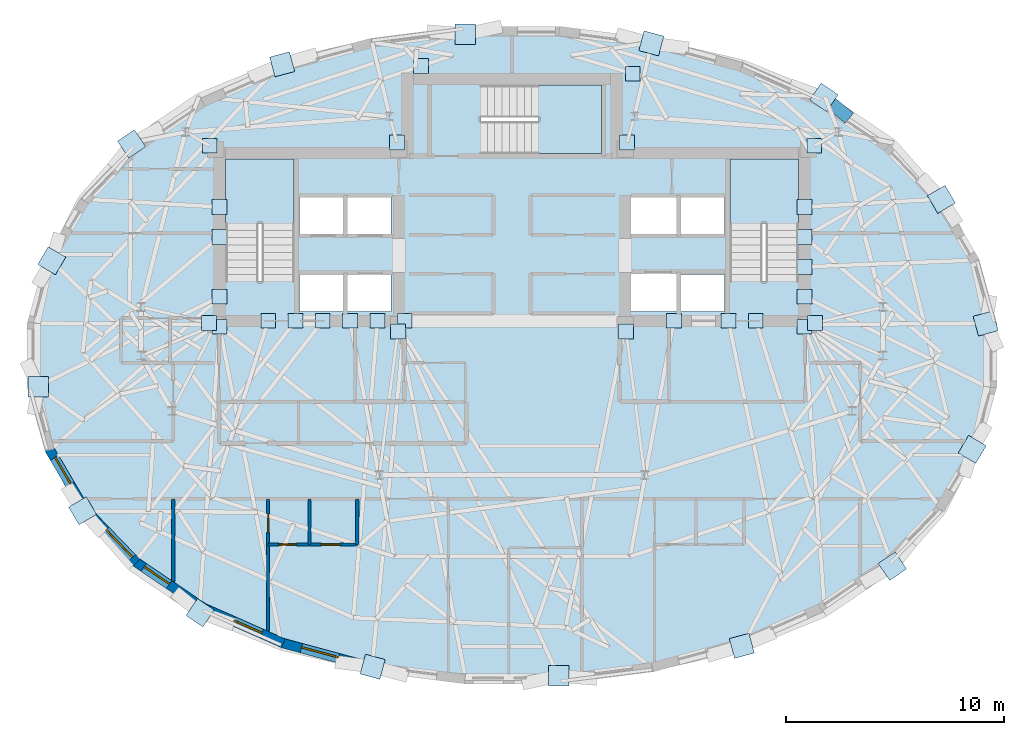
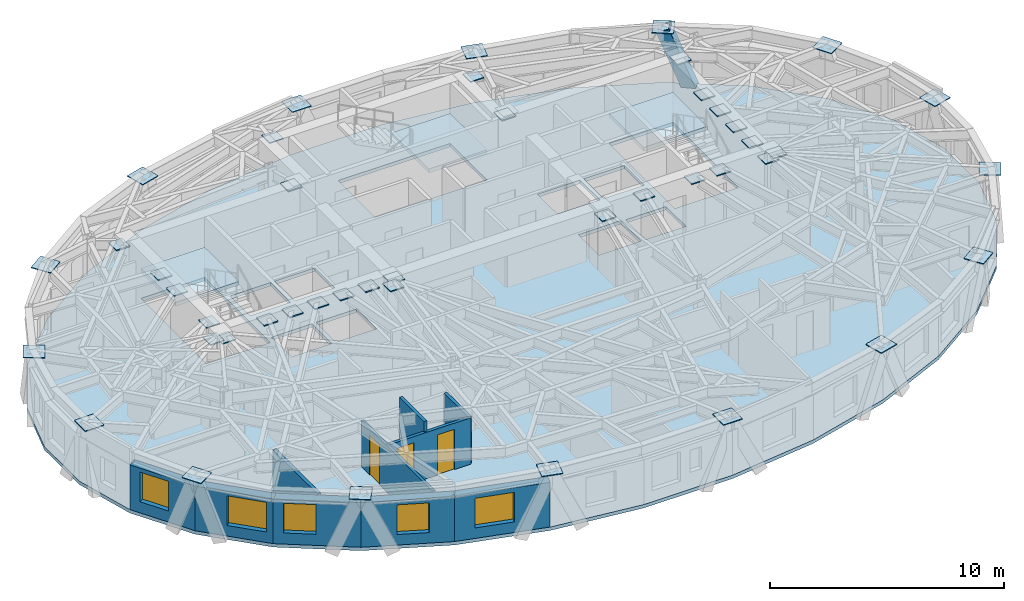
# One storey, part 5 of 13: 44 plates, 10 walls, 5 windows, 4 slabs, 3 doors, 1 member, 8 openings, 3 elements without a shape of their own.
"""IFC4 building model written with IfcOpenShell, lengths in metres."""

from ifc_helpers import new_model, si_unit, direction, frame, frame_2d, origin, origin_2d, place, context, subcontext, project, spatial, polyline, rectangle, hollow_rectangle, outline, extrude, material, layer, layer_set, material_profile, profile_set, type_object, element, fill, aggregate, save


model = new_model("IFC4")

# Units and contexts
model_context = context("Model", 3, precision=1e-05, world=origin(), true_north=direction((0.0, 1.0)))
body_context = subcontext(model_context, "Body", "Model", "MODEL_VIEW")
ifc_project = project(units=[si_unit("LENGTHUNIT", "METRE"), si_unit("AREAUNIT", "SQUARE_METRE"), si_unit("VOLUMEUNIT", "CUBIC_METRE"), si_unit("PLANEANGLEUNIT", "RADIAN"), si_unit("MASSUNIT", "GRAM", prefix="KILO")], contexts=[model_context])

# Site, building, storey
site_placement = place(None, origin())
site = spatial("IfcSite", under=ifc_project, at=site_placement, CompositionType="ELEMENT")
building_placement = place(site_placement, origin())
building = spatial("IfcBuilding", under=site, at=building_placement, Name="Keldmark Tower", CompositionType="ELEMENT")
storey_placement = place(building_placement, frame((0.0, 0.0, 232.050048828125)))
storey = spatial("IfcBuildingStorey", under=building, at=storey_placement, Name="L65", CompositionType="ELEMENT", Elevation=232.050048828125)

# Member
ifc_material_1 = material(Name="Steel ASTM A572 Grade 50", Category="steel")
ifc_material_profile = material_profile(ifc_material_1, hollow_rectangle(XDim=0.60009765625, YDim=0.60009765625, WallThickness=0.034912109375, at=origin_2d()), Name="BOX600X600X35")
ifc_profile_set = profile_set([ifc_material_profile], Name="Steel ASTM A572 Grade 50")
member_type = type_object("IfcMemberType", Name="Diagrid Zone 4 Brace BOX600X600X35", PredefinedType="BRACE", material=ifc_profile_set)
member_placement = place(storey_placement, frame((15.27587890625, 11.057861328125, -0.260009765625), z_axis=(-0.285944073993, 0.23141248776, 0.929883996559), x_axis=(-0.629089754103, -0.777332670922, 0.0)))
element("IfcMember", 1, at=member_placement, inside=storey, type_object=member_type, Name="L65 Perimeter Diagrid Brace 02B", PredefinedType="BRACE", context=body_context, shape_type="SweptSolid", body=[
    extrude(hollow_rectangle(XDim=0.60009765625, YDim=0.60009765625, WallThickness=0.034912109375, at=origin_2d()), origin(), (0.0, 0.0, 1.0), 3.34423828125),
])

# Plates
ifc_material_2 = material(Name="Steel ASTM A572 Grade 50", Category="steel")
ifc_layer_1 = layer(ifc_material_2, 0.06005859375)
ifc_layer_set_1 = layer_set([ifc_layer_1], Name="Steel ASTM A572 Grade 50")
plate_type_1 = type_object("IfcPlateType", Name="Belt Truss Kink Node Assembly KN01 60 mm", PredefinedType="USERDEFINED", material=ifc_layer_set_1)
for number, where, z_axis, x_axis, name in (
    (2, (13.91162109375, 1.473388671875, 2.67822265625), (0.0, 0.0, 1.0), (1.0, 0.0, 0.0), "L65 Core Wall Cast-In Embed Plate 1896"),
    (3, (13.878173828125, 9.608154296875, 2.67822265625), (0.0, 0.0, 1.0), (1.0, 0.0, 0.0), "L65 Core Wall Cast-In Embed Plate 1897"),
    (4, (5.28515625, 9.758544921875, 2.67822265625), (0.0, 0.0, 1.0), (1.0, 0.0, 0.0), "L65 Core Wall Cast-In Embed Plate 1898"),
    (5, (-5.28515625, 9.758544921875, 2.67822265625), (0.0, 0.0, 1.0), (1.0, 0.0, 0.0), "L65 Core Wall Cast-In Embed Plate 1899"),
    (6, (-13.878173828125, 9.608154296875, 2.67822265625), (0.0, 0.0, 1.0), (1.0, 0.0, 0.0), "L65 Core Wall Cast-In Embed Plate 1900"),
    (7, (-13.91162109375, 1.473388671875, 2.67822265625), (0.0, 0.0, 1.0), (1.0, 0.0, 0.0), "L65 Core Wall Cast-In Embed Plate 1901"),
    (8, (-5.24072265625, 1.08251953125, 2.67822265625), (0.0, 0.0, 1.0), (1.0, 0.0, 0.0), "L65 Core Wall Cast-In Embed Plate 1902"),
    (9, (5.24072265625, 1.08251953125, 2.67822265625), (0.0, 0.0, 1.0), (1.0, 0.0, 0.0), "L65 Core Wall Cast-In Embed Plate 1903"),
    (10, (-13.425048828125, 5.425048828125, 2.673828125), (0.0, 0.0, 1.0), (1.0, 0.0, 0.0), "L65 Core Wall Cast-In Embed Plate 1904"),
    (11, (-11.19287109375, 1.574951171875, 2.673828125), (0.0, 0.0, 1.0), (1.0, 0.0, 0.0), "L65 Core Wall Cast-In Embed Plate 1905"),
    (12, (-7.43212890625, 1.574951171875, 2.673828125), (0.0, 0.0, 1.0), (1.0, 0.0, 0.0), "L65 Core Wall Cast-In Embed Plate 1906"),
    (13, (7.43212890625, 1.574951171875, 2.673828125), (0.0, 0.0, 1.0), (1.0, 0.0, 0.0), "L65 Core Wall Cast-In Embed Plate 1907"),
    (14, (11.19287109375, 1.574951171875, 2.673828125), (0.0, 0.0, 1.0), (1.0, 0.0, 0.0), "L65 Core Wall Cast-In Embed Plate 1908"),
    (15, (13.425048828125, 5.425048828125, 2.673828125), (0.0, 0.0, 1.0), (1.0, 0.0, 0.0), "L65 Core Wall Cast-In Embed Plate 1909"),
    (16, (-9.939208984375, 1.574951171875, 2.673828125), (0.0, 0.0, 1.0), (1.0, 0.0, 0.0), "L65 Core Wall Cast-In Embed Plate 1910"),
    (17, (-6.1787109375, 1.574951171875, 2.673828125), (0.0, 0.0, 1.0), (1.0, 0.0, 0.0), "L65 Core Wall Cast-In Embed Plate 1911"),
    (18, (9.939208984375, 1.574951171875, 2.673828125), (0.0, 0.0, 1.0), (1.0, 0.0, 0.0), "L65 Core Wall Cast-In Embed Plate 1912"),
    (19, (13.425048828125, 4.050048828125, 2.673828125), (0.0, 0.0, 1.0), (1.0, 0.0, 0.0), "L65 Core Wall Cast-In Embed Plate 1913"),
    (20, (13.425048828125, 6.800048828125, 2.673828125), (0.0, 0.0, 1.0), (1.0, 0.0, 0.0), "L65 Core Wall Cast-In Embed Plate 1914"),
    (21, (-13.425048828125, 2.675048828125, 2.673828125), (0.0, 0.0, 1.0), (1.0, 0.0, 0.0), "L65 Core Wall Cast-In Embed Plate 1915"),
    (22, (-8.685791015625, 1.574951171875, 2.673828125), (0.0, 0.0, 1.0), (1.0, 0.0, 0.0), "L65 Core Wall Cast-In Embed Plate 1916"),
    (23, (-13.425048828125, 1.300048828125, 2.673828125), (0.0, 0.0, 1.0), (1.0, 0.0, 0.0), "L65 Core Wall Cast-In Embed Plate 1917"),
    (24, (-4.925048828125, 1.574951171875, 2.673828125), (0.0, 0.0, 1.0), (1.0, 0.0, 0.0), "L65 Core Wall Cast-In Embed Plate 1918"),
    (25, (13.425048828125, 1.300048828125, 2.673828125), (0.0, 0.0, 1.0), (1.0, 0.0, 0.0), "L65 Core Wall Cast-In Embed Plate 1919"),
    (26, (13.425048828125, 2.675048828125, 2.673828125), (0.0, 0.0, 1.0), (1.0, 0.0, 0.0), "L65 Core Wall Cast-In Embed Plate 1920"),
    (27, (5.546142578125, 12.919921875, 2.673828125), (0.0, 0.0, 1.0), (1.0, 0.0, 0.0), "L65 Core Wall Cast-In Embed Plate 1921"),
    (28, (-4.1806640625, 13.272705078125, 2.673828125), (0.0, 0.0, 1.0), (1.0, 0.0, 0.0), "L65 Core Wall Cast-In Embed Plate 1922"),
    (29, (-13.425048828125, 6.800048828125, 2.673828125), (0.0, 0.0, 1.0), (1.0, 0.0, 0.0), "L65 Core Wall Cast-In Embed Plate 1923"),
):
    element("IfcPlate", number, at=place(storey_placement, frame(where, z_axis=z_axis, x_axis=x_axis)), inside=storey, type_object=plate_type_1, Name=name, ObjectType="CAP PLATE", PredefinedType="USERDEFINED", context=body_context, shape_type="SweptSolid", body=[
        extrude(rectangle(XDim=0.679931640625, YDim=0.679931640625, at=origin_2d()), origin(), (0.0, 0.0, 1.0), 0.054931640625),
    ])
ifc_material_3 = material(Name="Steel ASTM A572 Grade 50", Category="steel")
ifc_layer_2 = layer(ifc_material_3, 0.0400390625)
ifc_layer_set_2 = layer_set([ifc_layer_2], Name="Steel ASTM A572 Grade 50")
plate_type_2 = type_object("IfcPlateType", Name="Diagrid Node Assembly DN05 40 mm", PredefinedType="USERDEFINED", material=ifc_layer_set_2)
for number, where, z_axis, x_axis, name in (
    (30, (21.74951171875, 1.45068359375, 2.829833984375), (0.0, 0.0, 1.0), (-0.267742895148, 0.963490395436, 0.0), "L65 Diagrid Node Assembly 01"),
    (31, (19.71728515625, 7.14990234375, 2.829833984375), (0.0, 0.0, 1.0), (-0.50723756673, 0.861806272255, 0.0), "L65 Diagrid Node Assembly 02"),
    (32, (14.319580078125, 11.831787109375, 2.829833984375), (0.0, 0.0, 1.0), (-0.827668733006, 0.561216953062, 0.0), "L65 Diagrid Node Assembly 04"),
    (33, (6.39794921875, 14.312255859375, 2.829833984375), (0.0, 0.0, 1.0), (-0.965244930214, 0.261346943155, 0.0), "L65 Diagrid Node Assembly 06"),
    (34, (-2.15380859375, 14.72900390625, 2.829833984375), (0.0, 0.0, 1.0), (-1.0, 0.0, 0.0), "L65 Diagrid Node Assembly 08"),
    (35, (-10.552490234375, 13.351806640625, 2.829833984375), (0.0, 0.0, 1.0), (-0.965244930214, -0.261346943155, 0.0), "L65 Diagrid Node Assembly 10"),
    (36, (-17.466796875, 9.695068359375, 2.829833984375), (0.0, 0.0, 1.0), (-0.827668733006, -0.561216953062, 0.0), "L65 Diagrid Node Assembly 12"),
    (37, (-21.131591796875, 4.329345703125, 2.829833984375), (0.0, 0.0, 1.0), (-0.50723756673, -0.861806272255, 0.0), "L65 Diagrid Node Assembly 14"),
    (38, (-21.74951171875, -1.46240234375, 2.829833984375), (0.0, 0.0, 1.0), (0.0, -1.0, 0.0), "L65 Diagrid Node Assembly 16"),
    (39, (-19.71728515625, -7.14990234375, 2.829833984375), (0.0, 0.0, 1.0), (0.50723756673, -0.861806272255, 0.0), "L65 Diagrid Node Assembly 18"),
    (40, (-14.319580078125, -11.831787109375, 2.829833984375), (0.0, 0.0, 1.0), (0.827668733006, -0.561216953062, 0.0), "L65 Diagrid Node Assembly 20"),
    (41, (-6.39794921875, -14.312255859375, 2.829833984375), (0.0, 0.0, 1.0), (0.965244930214, -0.261346943155, 0.0), "L65 Diagrid Node Assembly 22"),
    (42, (2.15380859375, -14.72900390625, 2.829833984375), (0.0, 0.0, 1.0), (1.0, 0.0, 0.0), "L65 Diagrid Node Assembly 24"),
    (43, (10.552490234375, -13.351806640625, 2.829833984375), (0.0, 0.0, 1.0), (0.965244930214, 0.261346943155, 0.0), "L65 Diagrid Node Assembly 26"),
    (44, (17.466796875, -9.695068359375, 2.829833984375), (0.0, 0.0, 1.0), (0.827668733006, 0.561216953062, 0.0), "L65 Diagrid Node Assembly 28"),
    (45, (21.131591796875, -4.329345703125, 2.829833984375), (0.0, 0.0, 1.0), (0.50723756673, 0.861806272255, 0.0), "L65 Diagrid Node Assembly 30"),
):
    element("IfcPlate", number, at=place(storey_placement, frame(where, z_axis=z_axis, x_axis=x_axis)), inside=storey, type_object=plate_type_2, Name=name, ObjectType="GUSSET", PredefinedType="USERDEFINED", context=body_context, shape_type="SweptSolid", body=[
        extrude(rectangle(XDim=0.93994140625, YDim=0.93994140625, at=origin_2d()), origin(), (0.0, 0.0, 1.0), 0.0400390625),
    ])

# Slab
ifc_material_4 = material(Name="Concrete C35/45", Category="concrete")
ifc_layer_3 = layer(ifc_material_4, 0.179931640625)
ifc_layer_set_3 = layer_set([ifc_layer_3], Name="Concrete C35/45")
slab_type_1 = type_object("IfcSlabType", Name="Hotel and Residential Slab 180 mm", PredefinedType="FLOOR", material=ifc_layer_set_3)
slab_1_placement = place(storey_placement, frame((0.0, 0.0, -0.179931640625)))
element("IfcSlab", 46, at=slab_1_placement, inside=storey, type_object=slab_type_1, Name="L65 Composite Structural Floor Slab", PredefinedType="FLOOR", context=body_context, shape_type="SweptSolid", body=[
    extrude(outline(polyline([(22.25927734375, 1.48681640625), (21.446533203125, 4.41162109375), (19.8154296875, 7.1826171875), (17.40283203125, 9.685302734375), (14.281982421875, 11.801513671875), (10.591552734375, 13.4375), (6.505615234375, 14.543701171875), (2.1923828125, 15.0947265625), (-2.1923828125, 15.0947265625), (-6.505615234375, 14.543701171875), (-10.591552734375, 13.4375), (-14.281982421875, 11.801513671875), (-17.40283203125, 9.685302734375), (-19.8154296875, 7.1826171875), (-21.446533203125, 4.41162109375), (-22.25927734375, 1.48681640625), (-22.25927734375, -1.48681640625), (-21.446533203125, -4.41162109375), (-19.8154296875, -7.1826171875), (-17.40283203125, -9.685302734375), (-14.281982421875, -11.801513671875), (-10.591552734375, -13.4375), (-6.505615234375, -14.543701171875), (-2.1923828125, -15.0947265625), (2.1923828125, -15.0947265625), (6.505615234375, -14.543701171875), (10.591552734375, -13.4375), (14.281982421875, -11.801513671875), (17.40283203125, -9.685302734375), (19.8154296875, -7.1826171875), (21.446533203125, -4.41162109375), (22.25927734375, -1.48681640625), (22.25927734375, 1.48681640625)]), holes=[polyline([(-10.0, 3.385009765625), (-10.0, 9.0), (-13.14990234375, 9.0), (-13.14990234375, 3.385009765625), (-10.0, 3.385009765625)]), polyline([(13.14990234375, 3.385009765625), (13.14990234375, 9.0), (10.0, 9.0), (10.0, 3.385009765625), (13.14990234375, 3.385009765625)]), polyline([(-1.43994140625, 9.25), (4.10498046875, 9.25), (4.10498046875, 12.39990234375), (-1.43994140625, 12.39990234375), (-1.43994140625, 9.25)]), polyline([(-9.75, 2.0), (-7.75, 2.0), (-7.75, 3.699951171875), (-9.75, 3.699951171875), (-9.75, 2.0)]), polyline([(7.75, 2.0), (9.75, 2.0), (9.75, 3.699951171875), (7.75, 3.699951171875), (7.75, 2.0)]), polyline([(5.449951171875, 2.0), (7.550048828125, 2.0), (7.550048828125, 3.75), (5.449951171875, 3.75), (5.449951171875, 2.0)]), polyline([(-9.75, 5.550048828125), (-7.75, 5.550048828125), (-7.75, 7.25), (-9.75, 7.25), (-9.75, 5.550048828125)]), polyline([(-7.550048828125, 5.550048828125), (-5.550048828125, 5.550048828125), (-5.550048828125, 7.25), (-7.550048828125, 7.25), (-7.550048828125, 5.550048828125)]), polyline([(-7.550048828125, 2.0), (-5.550048828125, 2.0), (-5.550048828125, 3.699951171875), (-7.550048828125, 3.699951171875), (-7.550048828125, 2.0)]), polyline([(5.449951171875, 5.550048828125), (7.550048828125, 5.550048828125), (7.550048828125, 7.25), (5.449951171875, 7.25), (5.449951171875, 5.550048828125)]), polyline([(7.75, 5.550048828125), (9.75, 5.550048828125), (9.75, 7.25), (7.75, 7.25), (7.75, 5.550048828125)])]), origin(), (0.0, 0.0, 1.0), 0.179931640625),
])

# Stair, slab
ifc_material_5 = material(Name="Concrete C40/50", Category="concrete")
stair_type = type_object("IfcStairType", Name="Precast Concrete Core Exit Stair", PredefinedType="HALF_TURN_STAIR", material=ifc_material_5)
stair_1_placement = place(storey_placement, origin())
stair_1 = element("IfcStair", 47, at=stair_1_placement, inside=storey, type_object=stair_type, Name="L65 Exit Stair ST1", PredefinedType="HALF_TURN_STAIR")
ifc_material_6 = material(Name="Concrete C40/50", Category="concrete")
ifc_layer_4 = layer(ifc_material_6, 0.199951171875)
ifc_layer_set_4 = layer_set([ifc_layer_4], Name="Concrete C40/50")
slab_type_2 = type_object("IfcSlabType", Name="Reinforced Concrete Stair Landing 200 mm", PredefinedType="LANDING", material=ifc_layer_set_4)
slab_2_placement = place(storey_placement, frame((0.0, 0.0, 1.375)))
slab_2 = element("IfcSlab", 48, at=slab_2_placement, type_object=slab_type_2, Name="ST1 landing 1", PredefinedType="LANDING", context=body_context, shape_type="SweptSolid", body=[
    extrude(outline(polyline([(-10.0, 6.050048828125), (-10.0, 9.0), (-13.14990234375, 9.0), (-13.14990234375, 6.050048828125), (-10.0, 6.050048828125)])), origin(), (0.0, 0.0, 1.0), 0.199951171875),
])
aggregate(stair_1, [slab_2])

stair_2_placement = place(storey_placement, origin())
stair_2 = element("IfcStair", 49, at=stair_2_placement, inside=storey, type_object=stair_type, Name="L65 Exit Stair ST2", PredefinedType="HALF_TURN_STAIR")
slab_3_placement = place(storey_placement, frame((0.0, 0.0, 1.375)))
slab_3 = element("IfcSlab", 50, at=slab_3_placement, type_object=slab_type_2, Name="ST2 landing 1", PredefinedType="LANDING", context=body_context, shape_type="SweptSolid", body=[
    extrude(outline(polyline([(13.14990234375, 6.050048828125), (13.14990234375, 9.0), (10.0, 9.0), (10.0, 6.050048828125), (13.14990234375, 6.050048828125)])), origin(), (0.0, 0.0, 1.0), 0.199951171875),
])
aggregate(stair_2, [slab_3])

stair_3_placement = place(storey_placement, origin())
stair_3 = element("IfcStair", 51, at=stair_3_placement, inside=storey, type_object=stair_type, Name="L65 Exit Stair ST3", PredefinedType="HALF_TURN_STAIR")
slab_4_placement = place(storey_placement, frame((0.0, 0.0, 1.375)))
slab_4 = element("IfcSlab", 52, at=slab_4_placement, type_object=slab_type_2, Name="ST3 landing 1", PredefinedType="LANDING", context=body_context, shape_type="SweptSolid", body=[
    extrude(outline(polyline([(1.22509765625, 9.25), (4.10498046875, 9.25), (4.10498046875, 12.39990234375), (1.22509765625, 12.39990234375), (1.22509765625, 9.25)])), origin(), (0.0, 0.0, 1.0), 0.199951171875),
])
aggregate(stair_3, [slab_4])

# Wall, opening, door
ifc_material_7 = material(Name="Acoustic Gypsum Board Interior Partition", Category="gypsum")
ifc_layer_5 = layer(ifc_material_7, 0.1298828125)
ifc_layer_set_5 = layer_set([ifc_layer_5], Name="Acoustic Gypsum Board Interior Partition")
wall_type_1 = type_object("IfcWallType", Name="Interior Partition 130 mm", PredefinedType="PARTITIONING", material=ifc_layer_set_5)
wall_1_placement = place(storey_placement, frame((-11.199951171875, -12.677734375, 0.0), z_axis=(0.0, 0.0, 1.0), x_axis=(0.0, 1.0, 0.0)))
wall_1 = element("IfcWall", 53, at=wall_1_placement, inside=storey, type_object=wall_type_1, Name="L65 Interior Partition 130 mm UA-BR1-E", PredefinedType="PARTITIONING", context=body_context, shape_type="SweptSolid", body=[
    extrude(rectangle(XDim=6.07763671875, YDim=0.1298828125, at=frame_2d((3.038818359375, 0.0))), origin(), (0.0, 0.0, 1.0), 2.4228515625),
])
opening_1_placement = place(wall_1_placement, frame((4.52734375, 0.0, 0.0)))
opening_1 = element("IfcOpeningElement", 54, at=opening_1_placement, cuts=wall_1, Name="Opening D-BR085", PredefinedType="OPENING", context=body_context, shape_type="SweptSolid", body=[
    extrude(rectangle(XDim=0.85009765625, YDim=2.10009765625, at=frame_2d((0.425048828125, 1.050048828125))), frame((0.0, 0.074951171875, 0.0), z_axis=(0.0, -1.0, 0.0), x_axis=(1.0, 0.0, 0.0)), (0.0, 0.0, 1.0), 0.14990234375),
])
ifc_material_8 = material(Name="Solid-Core Stained Walnut Wood", Category="wood")
door_type_1 = type_object("IfcDoorType", Name="Bedroom Door 850x2100", OperationType="NOTDEFINED", PredefinedType="DOOR", material=ifc_material_8)
door_1_placement = place(opening_1_placement, origin())
door_1 = element("IfcDoor", 55, at=door_1_placement, inside=storey, type_object=door_type_1, Name="L65 Bedroom Door 850x2100 D-UA-BR1-L65", OperationType="SINGLE_SWING_RIGHT", OverallHeight=2.10009765625, OverallWidth=0.85009765625, PredefinedType="DOOR", context=body_context, shape_type="SweptSolid", body=[
    extrude(rectangle(XDim=0.85009765625, YDim=2.10009765625, at=frame_2d((0.425048828125, 1.050048828125))), frame((0.0, 0.02490234375, 0.0), z_axis=(0.0, -1.0, 0.0), x_axis=(1.0, 0.0, 0.0)), (0.0, 0.0, 1.0), 0.050048828125),
])
fill(opening_1, door_1)

# Wall
ifc_material_9 = material(Name="Type X Fire-Rated Gypsum Partition Assembly", Category="gypsum")
ifc_layer_6 = layer(ifc_material_9, 0.1650390625)
ifc_layer_set_6 = layer_set([ifc_layer_6], Name="Type X Fire-Rated Gypsum Partition Assembly")
wall_type_2 = type_object("IfcWallType", Name="Rated Partition 165 mm", PredefinedType="PARTITIONING", material=ifc_layer_set_6)
wall_2_placement = place(storey_placement, frame((-15.550048828125, -10.400390625, 0.0), z_axis=(0.0, 0.0, 1.0), x_axis=(0.0, 1.0, 0.0)))
element("IfcWall", 56, at=wall_2_placement, inside=storey, type_object=wall_type_2, Name="L65 Rated Partition 165 mm RS-WCAP", PredefinedType="PARTITIONING", context=body_context, shape_type="SweptSolid", body=[
    extrude(rectangle(XDim=3.80029296875, YDim=0.1650390625, at=frame_2d((1.900146484375, 0.0))), origin(), (0.0, 0.0, 1.0), 2.4228515625),
])

# Wall, opening, window
ifc_material_10 = material(Name="Ironspot Manganese Brick and Kasota Buff Limestone Spandrel Assembly", Category="masonry")
ifc_layer_7 = layer(ifc_material_10, 0.43994140625)
ifc_layer_set_7 = layer_set([ifc_layer_7], Name="Ironspot Manganese Brick and Kasota Buff Limestone Spandrel Assembly")
wall_type_3 = type_object("IfcWallType", Name="Tower Brick Pier and Spandrel Wall 440 mm", PredefinedType="STANDARD", material=ifc_layer_set_7)
wall_3_placement = place(storey_placement, frame((-19.625732421875, -7.07080078125, 0.0), z_axis=(0.0, 0.0, 1.0), x_axis=(-0.507308799926, 0.861764342218, 0.0)))
wall_3 = element("IfcWall", 57, at=wall_3_placement, inside=storey, type_object=wall_type_3, Name="L65 Exterior Brick and Spandrel Wall 18", PredefinedType="STANDARD", context=body_context, shape_type="SweptSolid", body=[
    extrude(rectangle(XDim=3.215087890625, YDim=0.43994140625, at=frame_2d((1.607421875, 0.0))), origin(), (0.0, 0.0, 1.0), 2.3359375),
])
opening_2_placement = place(wall_3_placement, frame((1.322509765625, 0.0, 0.580078125)))
opening_2 = element("IfcOpeningElement", 58, at=opening_2_placement, cuts=wall_3, Name="Opening W-08", PredefinedType="OPENING", context=body_context, shape_type="SweptSolid", body=[
    extrude(rectangle(XDim=1.39990234375, YDim=1.550048828125, at=frame_2d((0.699951171875, 0.77490234375))), frame((0.0, 0.22998046875, 0.0), z_axis=(0.0, -1.0, 0.0), x_axis=(1.0, 0.0, 0.0)), (0.0, 0.0, 1.0), 0.4599609375),
])
ifc_material_11 = material(Name="Thermally Broken Anodized Aluminum and Triple Low-E Argon Glazing", Category="aluminium")
window_type_1 = type_object("IfcWindowType", Name="Residential Corner Punched Window 1400x1550", PartitioningType="SINGLE_PANEL", PredefinedType="WINDOW", material=ifc_material_11)
window_1_placement = place(opening_2_placement, origin())
window_1 = element("IfcWindow", 59, at=window_1_placement, inside=storey, type_object=window_type_1, Name="L65 Deep-Set Window 18", OverallHeight=1.550048828125, OverallWidth=1.39990234375, PartitioningType="SINGLE_PANEL", PredefinedType="WINDOW", context=body_context, shape_type="SweptSolid", body=[
    extrude(rectangle(XDim=1.39990234375, YDim=1.550048828125, at=frame_2d((0.699951171875, 0.77490234375))), frame((0.0, -0.010009765625, 0.0), z_axis=(0.0, -1.0, 0.0), x_axis=(1.0, 0.0, 0.0)), (0.0, 0.0, 1.0), 0.06005859375),
])
fill(opening_2, window_1)

wall_4_placement = place(storey_placement, frame((-17.244384765625, -9.532470703125, 0.0), z_axis=(0.0, 0.0, 1.0), x_axis=(-0.694030285144, 0.71994580581, 0.0)))
wall_4 = element("IfcWall", 60, at=wall_4_placement, inside=storey, type_object=wall_type_3, Name="L65 Exterior Brick and Spandrel Wall 19", PredefinedType="STANDARD", context=body_context, shape_type="SweptSolid", body=[
    extrude(rectangle(XDim=3.476318359375, YDim=0.43994140625, at=frame_2d((1.73828125, 0.0))), origin(), (0.0, 0.0, 1.0), 2.3359375),
])
opening_3_placement = place(wall_4_placement, frame((0.298095703125, 0.0, 0.550048828125)))
opening_3 = element("IfcOpeningElement", 61, at=opening_3_placement, cuts=wall_4, Name="Opening W-05", PredefinedType="OPENING", context=body_context, shape_type="SweptSolid", body=[
    extrude(rectangle(XDim=1.75, YDim=1.550048828125, at=frame_2d((0.875, 0.77490234375))), frame((0.0, 0.22998046875, 0.0), z_axis=(0.0, -1.0, 0.0), x_axis=(1.0, 0.0, 0.0)), (0.0, 0.0, 1.0), 0.4599609375),
])
ifc_material_12 = material(Name="Thermally Broken Anodized Aluminum and Triple Low-E Argon Glazing", Category="aluminium")
window_type_2 = type_object("IfcWindowType", Name="Residential Deep-Set Window 1750x1550", PartitioningType="DOUBLE_PANEL_VERTICAL", PredefinedType="WINDOW", material=ifc_material_12)
window_2_placement = place(opening_3_placement, origin())
window_2 = element("IfcWindow", 62, at=window_2_placement, inside=storey, type_object=window_type_2, Name="L65 Deep-Set Window 19", OverallHeight=1.550048828125, OverallWidth=1.75, PartitioningType="SINGLE_PANEL", PredefinedType="WINDOW", context=body_context, shape_type="SweptSolid", body=[
    extrude(rectangle(XDim=1.75, YDim=1.550048828125, at=frame_2d((0.875, 0.77490234375))), frame((0.0, -0.010009765625, 0.0), z_axis=(0.0, -1.0, 0.0), x_axis=(1.0, 0.0, 0.0)), (0.0, 0.0, 1.0), 0.06005859375),
])
fill(opening_3, window_2)

wall_5_placement = place(storey_placement, frame((-14.15869140625, -11.619384765625, 0.0), z_axis=(0.0, 0.0, 1.0), x_axis=(-0.827641205742, 0.56125754744, 0.0)))
wall_5 = element("IfcWall", 63, at=wall_5_placement, inside=storey, type_object=wall_type_3, Name="L65 Exterior Brick and Spandrel Wall 20", PredefinedType="STANDARD", context=body_context, shape_type="SweptSolid", body=[
    extrude(rectangle(XDim=3.7705078125, YDim=0.43994140625, at=frame_2d((1.88525390625, 0.0))), origin(), (0.0, 0.0, 1.0), 2.3359375),
])
opening_4_placement = place(wall_5_placement, frame((1.92431640625, 0.0, 0.580078125)))
opening_4 = element("IfcOpeningElement", 64, at=opening_4_placement, cuts=wall_5, Name="Opening W-08", PredefinedType="OPENING", context=body_context, shape_type="SweptSolid", body=[
    extrude(rectangle(XDim=1.39990234375, YDim=1.550048828125, at=frame_2d((0.699951171875, 0.77490234375))), frame((0.0, 0.22998046875, 0.0), z_axis=(0.0, -1.0, 0.0), x_axis=(1.0, 0.0, 0.0)), (0.0, 0.0, 1.0), 0.4599609375),
])
window_3_placement = place(opening_4_placement, origin())
window_3 = element("IfcWindow", 65, at=window_3_placement, inside=storey, type_object=window_type_1, Name="L65 Deep-Set Window 20", OverallHeight=1.550048828125, OverallWidth=1.39990234375, PartitioningType="SINGLE_PANEL", PredefinedType="WINDOW", context=body_context, shape_type="SweptSolid", body=[
    extrude(rectangle(XDim=1.39990234375, YDim=1.550048828125, at=frame_2d((0.699951171875, 0.77490234375))), frame((0.0, -0.010009765625, 0.0), z_axis=(0.0, -1.0, 0.0), x_axis=(1.0, 0.0, 0.0)), (0.0, 0.0, 1.0), 0.06005859375),
])
fill(opening_4, window_3)

wall_6_placement = place(storey_placement, frame((-10.50244140625, -13.236328125, 0.0), z_axis=(0.0, 0.0, 1.0), x_axis=(-0.914197700285, 0.405268509501, 0.0)))
wall_6 = element("IfcWall", 66, at=wall_6_placement, inside=storey, type_object=wall_type_3, Name="L65 Exterior Brick and Spandrel Wall 21", PredefinedType="STANDARD", context=body_context, shape_type="SweptSolid", body=[
    extrude(rectangle(XDim=4.036865234375, YDim=0.43994140625, at=frame_2d((2.0185546875, 0.0))), origin(), (0.0, 0.0, 1.0), 2.3359375),
])
opening_5_placement = place(wall_6_placement, frame((1.0947265625, 0.0, 0.550048828125)))
opening_5 = element("IfcOpeningElement", 67, at=opening_5_placement, cuts=wall_6, Name="Opening W-08", PredefinedType="OPENING", context=body_context, shape_type="SweptSolid", body=[
    extrude(rectangle(XDim=1.39990234375, YDim=1.550048828125, at=frame_2d((0.699951171875, 0.77490234375))), frame((0.0, 0.22998046875, 0.0), z_axis=(0.0, -1.0, 0.0), x_axis=(1.0, 0.0, 0.0)), (0.0, 0.0, 1.0), 0.4599609375),
])
window_4_placement = place(opening_5_placement, origin())
window_4 = element("IfcWindow", 68, at=window_4_placement, inside=storey, type_object=window_type_1, Name="L65 Deep-Set Window 21", OverallHeight=1.550048828125, OverallWidth=1.39990234375, PartitioningType="SINGLE_PANEL", PredefinedType="WINDOW", context=body_context, shape_type="SweptSolid", body=[
    extrude(rectangle(XDim=1.39990234375, YDim=1.550048828125, at=frame_2d((0.699951171875, 0.77490234375))), frame((0.0, -0.010009765625, 0.0), z_axis=(0.0, -1.0, 0.0), x_axis=(1.0, 0.0, 0.0)), (0.0, 0.0, 1.0), 0.06005859375),
])
fill(opening_5, window_4)

wall_7_placement = place(storey_placement, frame((-6.4482421875, -14.331298828125, 0.0), z_axis=(0.0, 0.0, 1.0), x_axis=(-0.965250622562, 0.261325918429, 0.0)))
wall_7 = element("IfcWall", 69, at=wall_7_placement, inside=storey, type_object=wall_type_3, Name="L65 Exterior Brick and Spandrel Wall 22", PredefinedType="STANDARD", context=body_context, shape_type="SweptSolid", body=[
    extrude(rectangle(XDim=4.233154296875, YDim=0.43994140625, at=frame_2d((2.11669921875, 0.0))), origin(), (0.0, 0.0, 1.0), 2.3359375),
])
opening_6_placement = place(wall_7_placement, frame((1.588623046875, 0.0, 0.550048828125)))
opening_6 = element("IfcOpeningElement", 70, at=opening_6_placement, cuts=wall_7, Name="Opening W-05", PredefinedType="OPENING", context=body_context, shape_type="SweptSolid", body=[
    extrude(rectangle(XDim=1.75, YDim=1.550048828125, at=frame_2d((0.875, 0.77490234375))), frame((0.0, 0.22998046875, 0.0), z_axis=(0.0, -1.0, 0.0), x_axis=(1.0, 0.0, 0.0)), (0.0, 0.0, 1.0), 0.4599609375),
])
window_5_placement = place(opening_6_placement, origin())
window_5 = element("IfcWindow", 71, at=window_5_placement, inside=storey, type_object=window_type_2, Name="L65 Deep-Set Window 22", OverallHeight=1.550048828125, OverallWidth=1.75, PartitioningType="SINGLE_PANEL", PredefinedType="WINDOW", context=body_context, shape_type="SweptSolid", body=[
    extrude(rectangle(XDim=1.75, YDim=1.550048828125, at=frame_2d((0.875, 0.77490234375))), frame((0.0, -0.010009765625, 0.0), z_axis=(0.0, -1.0, 0.0), x_axis=(1.0, 0.0, 0.0)), (0.0, 0.0, 1.0), 0.06005859375),
])
fill(opening_6, window_5)

# Wall, openings, doors
ifc_material_13 = material(Name="Moisture-Resistant Gypsum Plumbing Partition", Category="gypsum")
ifc_layer_8 = layer(ifc_material_13, 0.14990234375)
ifc_layer_set_8 = layer_set([ifc_layer_8], Name="Moisture-Resistant Gypsum Plumbing Partition")
wall_type_4 = type_object("IfcWallType", Name="Wet Wall 150 mm", PredefinedType="PLUMBINGWALL", material=ifc_layer_set_8)
wall_8_placement = place(storey_placement, frame((-11.199951171875, -8.699951171875, 0.0), z_axis=(0.0, 0.0, 1.0), x_axis=(1.0, 0.0, 0.0)))
wall_8 = element("IfcWall", 72, at=wall_8_placement, inside=storey, type_object=wall_type_4, Name="L65 Wet Wall 150 mm UA-BK-S", PredefinedType="PLUMBINGWALL", context=body_context, shape_type="SweptSolid", body=[
    extrude(rectangle(XDim=4.099853515625, YDim=0.14990234375, at=frame_2d((2.0498046875, 0.0))), origin(), (0.0, 0.0, 1.0), 2.4228515625),
])
opening_7_placement = place(wall_8_placement, frame((0.5, 0.0, 0.0)))
opening_7 = element("IfcOpeningElement", 73, at=opening_7_placement, cuts=wall_8, Name="Opening D-BT080", PredefinedType="OPENING", context=body_context, shape_type="SweptSolid", body=[
    extrude(rectangle(XDim=0.800048828125, YDim=2.10009765625, at=frame_2d((0.39990234375, 1.050048828125))), frame((0.0, 0.0849609375, 0.0), z_axis=(0.0, -1.0, 0.0), x_axis=(1.0, 0.0, 0.0)), (0.0, 0.0, 1.0), 0.169921875),
])
opening_8_placement = place(wall_8_placement, frame((2.449951171875, 0.0, 0.0)))
opening_8 = element("IfcOpeningElement", 74, at=opening_8_placement, cuts=wall_8, Name="Opening D-IN085", PredefinedType="OPENING", context=body_context, shape_type="SweptSolid", body=[
    extrude(rectangle(XDim=0.85009765625, YDim=2.10009765625, at=frame_2d((0.425048828125, 1.050048828125))), frame((0.0, 0.0849609375, 0.0), z_axis=(0.0, -1.0, 0.0), x_axis=(1.0, 0.0, 0.0)), (0.0, 0.0, 1.0), 0.169921875),
])
ifc_material_14 = material(Name="Moisture-Sealed Stained Wood", Category="wood")
door_type_2 = type_object("IfcDoorType", Name="Bathroom Door 800x2100", OperationType="NOTDEFINED", PredefinedType="DOOR", material=ifc_material_14)
door_2_placement = place(opening_7_placement, origin())
door_2 = element("IfcDoor", 75, at=door_2_placement, inside=storey, type_object=door_type_2, Name="L65 Bathroom Door 800x2100 D-UA-BATH-L65", OperationType="SINGLE_SWING_LEFT", OverallHeight=2.10009765625, OverallWidth=0.800048828125, PredefinedType="DOOR", context=body_context, shape_type="SweptSolid", body=[
    extrude(rectangle(XDim=0.800048828125, YDim=2.10009765625, at=frame_2d((0.39990234375, 1.050048828125))), frame((0.0, 0.02490234375, 0.0), z_axis=(0.0, -1.0, 0.0), x_axis=(1.0, 0.0, 0.0)), (0.0, 0.0, 1.0), 0.050048828125),
])
fill(opening_7, door_2)
ifc_material_15 = material(Name="Painted Architectural Wood", Category="wood")
door_type_3 = type_object("IfcDoorType", Name="Interior Door 850x2100", OperationType="NOTDEFINED", PredefinedType="DOOR", material=ifc_material_15)
door_3_placement = place(opening_8_placement, origin())
door_3 = element("IfcDoor", 76, at=door_3_placement, inside=storey, type_object=door_type_3, Name="L65 Interior Door 850x2100 D-UA-KIT-L65", OperationType="SINGLE_SWING_RIGHT", OverallHeight=2.10009765625, OverallWidth=0.85009765625, PredefinedType="DOOR", context=body_context, shape_type="SweptSolid", body=[
    extrude(rectangle(XDim=0.85009765625, YDim=2.10009765625, at=frame_2d((0.425048828125, 1.050048828125))), frame((0.0, 0.02490234375, 0.0), z_axis=(0.0, -1.0, 0.0), x_axis=(1.0, 0.0, 0.0)), (0.0, 0.0, 1.0), 0.050048828125),
])
fill(opening_8, door_3)

# Walls
wall_9_placement = place(storey_placement, frame((-9.300048828125, -8.699951171875, 0.0), z_axis=(0.0, 0.0, 1.0), x_axis=(0.0, 1.0, 0.0)))
element("IfcWall", 77, at=wall_9_placement, inside=storey, type_object=wall_type_4, Name="L65 Wet Wall 150 mm UA-BK-M", PredefinedType="PLUMBINGWALL", context=body_context, shape_type="SweptSolid", body=[
    extrude(rectangle(XDim=2.099853515625, YDim=0.14990234375, at=frame_2d((1.0498046875, 0.0))), origin(), (0.0, 0.0, 1.0), 2.969970703125),
])
wall_10_placement = place(storey_placement, frame((-7.10009765625, -8.699951171875, 0.0), z_axis=(0.0, 0.0, 1.0), x_axis=(0.0, 1.0, 0.0)))
element("IfcWall", 78, at=wall_10_placement, inside=storey, type_object=wall_type_4, Name="L65 Wet Wall 150 mm UA-BK-E", PredefinedType="PLUMBINGWALL", context=body_context, shape_type="SweptSolid", body=[
    extrude(rectangle(XDim=2.099853515625, YDim=0.14990234375, at=frame_2d((1.0498046875, 0.0))), origin(), (0.0, 0.0, 1.0), 2.4228515625),
])

save(model, "model.ifc")
